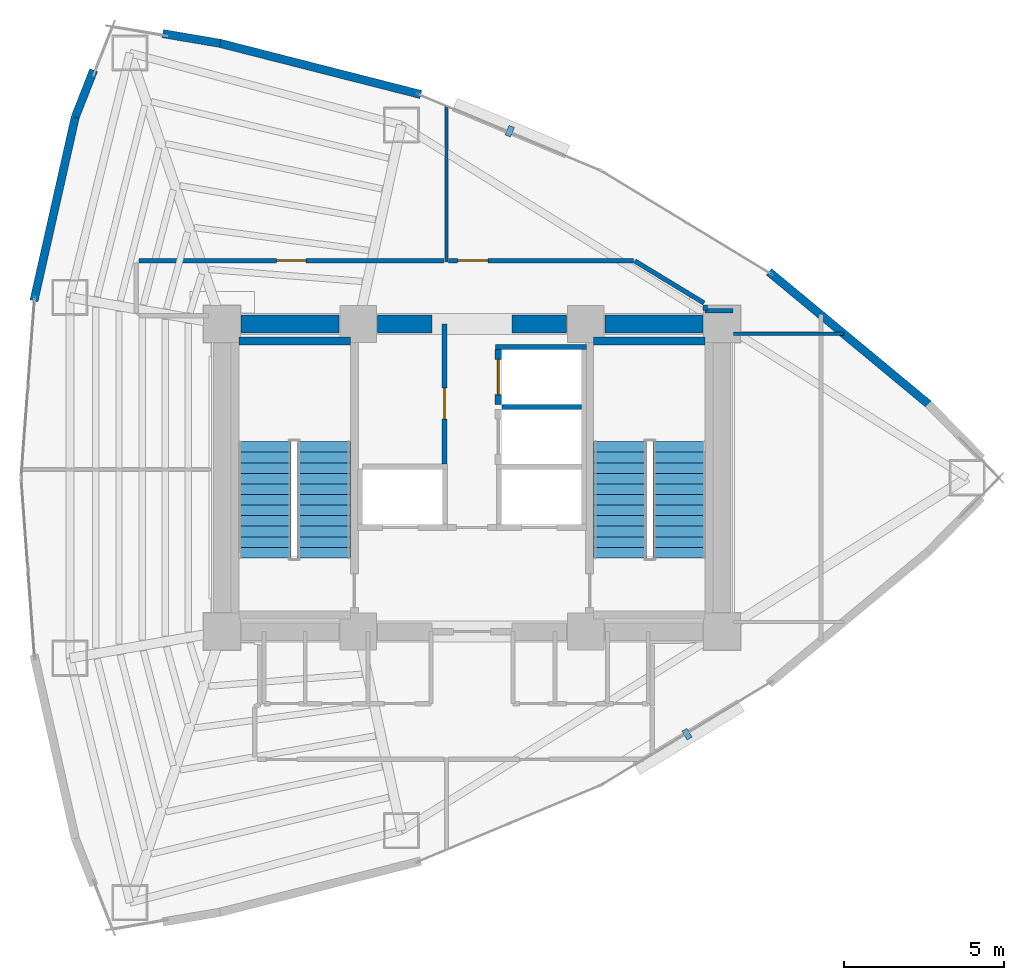
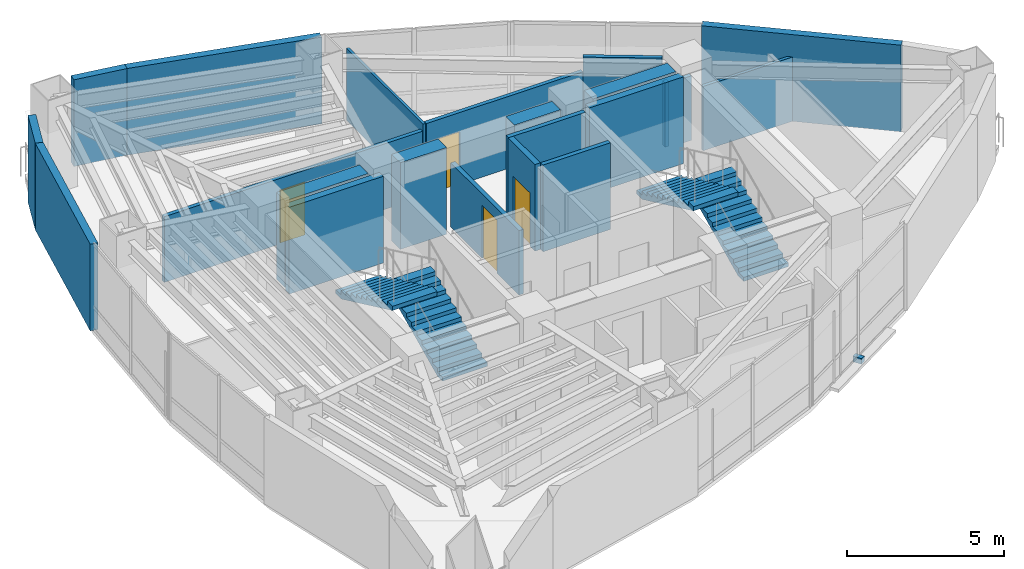
# One storey, part 12 of 15: 22 walls, 4 doors, 4 stair flights, 2 discrete accessories, 4 openings, 2 elements without a shape of their own.
"""IFC4 building model written with IfcOpenShell, lengths in metres."""

from ifc_helpers import new_model, si_unit, direction, frame, frame_2d, origin, origin_2d, place, context, subcontext, project, spatial, polyline, rectangle, outline, extrude, material, layer, layer_set, type_object, element, fill, aggregate, save


model = new_model("IFC4")

# Units and contexts
model_context = context("Model", 3, precision=1e-05, world=origin(), true_north=direction((0.0, 1.0)))
body_context = subcontext(model_context, "Body", "Model", "MODEL_VIEW")
ifc_project = project(units=[si_unit("LENGTHUNIT", "METRE"), si_unit("AREAUNIT", "SQUARE_METRE"), si_unit("VOLUMEUNIT", "CUBIC_METRE"), si_unit("PLANEANGLEUNIT", "RADIAN"), si_unit("MASSUNIT", "GRAM", prefix="KILO")], contexts=[model_context])

# Site, building, storey
site_placement = place(None, origin())
site = spatial("IfcSite", under=ifc_project, at=site_placement, CompositionType="ELEMENT")
building_placement = place(site_placement, origin())
building = spatial("IfcBuilding", under=site, at=building_placement, Name="Menara Vayukalpa", CompositionType="ELEMENT")
storey_placement = place(building_placement, frame((0.0, 0.0, 144.89990234375)))
storey = spatial("IfcBuildingStorey", under=building, at=storey_placement, Name="L36", CompositionType="ELEMENT", Elevation=144.89990234375)

# Walls
ifc_material_1 = material(Name="Concrete C60/75", Category="concrete")
ifc_layer_1 = layer(ifc_material_1, 0.550048828125)
ifc_layer_set_1 = layer_set([ifc_layer_1], Name="Concrete C60/75")
wall_type_1 = type_object("IfcWallType", Name="WAL-CW550", PredefinedType="SHEAR", material=ifc_layer_set_1)
wall_1_placement = place(storey_placement, frame((18.39501953125, 26.800048828125, 0.0), z_axis=(0.0, 0.0, 1.0), x_axis=(1.0, 0.0, 0.0)))
element("IfcWall", 1, at=wall_1_placement, inside=storey, type_object=wall_type_1, Name="L36 Buttressed Core Shear Wall CWN1", PredefinedType="SHEAR", context=body_context, shape_type="SweptSolid", body=[
    extrude(rectangle(XDim=3.06005859375, YDim=0.550048828125, at=frame_2d((1.530029296875, 0.0))), origin(), (0.0, 0.0, 1.0), 3.380126953125),
])
wall_2_placement = place(storey_placement, frame((22.64501953125, 26.800048828125, 0.0), z_axis=(0.0, 0.0, 1.0), x_axis=(1.0, 0.0, 0.0)))
element("IfcWall", 2, at=wall_2_placement, inside=storey, type_object=wall_type_1, Name="L36 Buttressed Core Shear Wall CWN2", PredefinedType="SHEAR", context=body_context, shape_type="SweptSolid", body=[
    extrude(rectangle(XDim=1.705078125, YDim=0.550048828125, at=frame_2d((0.8525390625, 0.0))), origin(), (0.0, 0.0, 1.0), 3.380126953125),
])
wall_3_placement = place(storey_placement, frame((26.85009765625, 26.800048828125, 0.0), z_axis=(0.0, 0.0, 1.0), x_axis=(1.0, 0.0, 0.0)))
element("IfcWall", 3, at=wall_3_placement, inside=storey, type_object=wall_type_1, Name="L36 Buttressed Core Shear Wall CWN3", PredefinedType="SHEAR", context=body_context, shape_type="SweptSolid", body=[
    extrude(rectangle(XDim=1.704833984375, YDim=0.550048828125, at=frame_2d((0.8525390625, 0.0))), origin(), (0.0, 0.0, 1.0), 3.380126953125),
])
wall_4_placement = place(storey_placement, frame((29.7451171875, 26.800048828125, 0.0), z_axis=(0.0, 0.0, 1.0), x_axis=(1.0, 0.0, 0.0)))
element("IfcWall", 4, at=wall_4_placement, inside=storey, type_object=wall_type_1, Name="L36 Buttressed Core Shear Wall CWN4", PredefinedType="SHEAR", context=body_context, shape_type="SweptSolid", body=[
    extrude(rectangle(XDim=3.059814453125, YDim=0.550048828125, at=frame_2d((1.52978515625, 0.0))), origin(), (0.0, 0.0, 1.0), 3.380126953125),
])
ifc_material_2 = material(Name="Insulated Precast Concrete C40/50", Category="concrete")
ifc_layer_2 = layer(ifc_material_2, 0.260009765625)
ifc_layer_set_2 = layer_set([ifc_layer_2], Name="Insulated Precast Concrete C40/50")
wall_type_2 = type_object("IfcWallType", Name="WAL-EXT260", PredefinedType="PARTITIONING", material=ifc_layer_set_2)
for number, where, z_axis, x_axis, name in (
    (5, (34.8701171875, 28.430419921875, 0.0), (0.0, 0.0, 1.0), (0.769754797847, -0.638339683234, 0.0), "L36 Perimeter Terracotta Pier Wall 03"),
    (6, (17.727294921875, 35.5654296875, 0.0), (0.0, 0.0, 1.0), (0.968987460493, -0.24710989743, 0.0), "L36 Perimeter Terracotta Pier Wall 06"),
):
    element("IfcWall", number, at=place(storey_placement, frame(where, z_axis=z_axis, x_axis=x_axis)), inside=storey, type_object=wall_type_2, Name=name, PredefinedType="PARTITIONING", context=body_context, shape_type="SweptSolid", body=[
        extrude(rectangle(XDim=6.476318359375, YDim=0.260009765625, at=frame_2d((3.23828125, 0.0))), origin(), (0.0, 0.0, 1.0), 3.380126953125),
    ])
wall_5_placement = place(storey_placement, frame((15.946533203125, 35.8671875, 0.0), z_axis=(0.0, 0.0, 1.0), x_axis=(0.985903286971, -0.167316193894, 0.0)))
element("IfcWall", 7, at=wall_5_placement, inside=storey, type_object=wall_type_2, Name="L36 Perimeter Terracotta Pier Wall 07", PredefinedType="PARTITIONING", context=body_context, shape_type="SweptSolid", body=[
    extrude(rectangle(XDim=1.818115234375, YDim=0.260009765625, at=frame_2d((0.9091796875, 0.0))), origin(), (0.0, 0.0, 1.0), 3.380126953125),
])
wall_6_placement = place(storey_placement, frame((13.21630859375, 33.263671875, 0.0), z_axis=(0.0, 0.0, 1.0), x_axis=(0.365517796794, 0.930804351207, 0.0)))
element("IfcWall", 8, at=wall_6_placement, inside=storey, type_object=wall_type_2, Name="L36 Perimeter Terracotta Pier Wall 08", PredefinedType="PARTITIONING", context=body_context, shape_type="SweptSolid", body=[
    extrude(rectangle(XDim=1.571533203125, YDim=0.260009765625, at=frame_2d((0.78564453125, 0.0))), origin(), (0.0, 0.0, 1.0), 3.380126953125),
])
wall_7_placement = place(storey_placement, frame((11.925048828125, 27.5244140625, 0.0), z_axis=(0.0, 0.0, 1.0), x_axis=(0.219500344647, 0.975612422379, 0.0)))
element("IfcWall", 9, at=wall_7_placement, inside=storey, type_object=wall_type_2, Name="L36 Perimeter Terracotta Pier Wall 09", PredefinedType="PARTITIONING", context=body_context, shape_type="SweptSolid", body=[
    extrude(rectangle(XDim=5.8828125, YDim=0.260009765625, at=frame_2d((2.94140625, 0.0))), origin(), (0.0, 0.0, 1.0), 3.380126953125),
])
ifc_material_3 = material(Name="Lightweight Concrete Blockwork C16/20", Category="masonry")
ifc_layer_3 = layer(ifc_material_3, 0.159912109375)
ifc_layer_set_3 = layer_set([ifc_layer_3], Name="Lightweight Concrete Blockwork C16/20")
wall_type_3 = type_object("IfcWallType", Name="WAL-FR150", PredefinedType="PARTITIONING", material=ifc_layer_set_3)
wall_8_placement = place(storey_placement, frame((26.530029296875, 24.215087890625, 0.0), z_axis=(0.0, 0.0, 1.0), x_axis=(1.0, 0.0, 0.0)))
element("IfcWall", 10, at=wall_8_placement, inside=storey, type_object=wall_type_3, Name="L36 Interior Partition IW-L36-SHM-E32", PredefinedType="PARTITIONING", context=body_context, shape_type="SweptSolid", body=[
    extrude(rectangle(XDim=2.489990234375, YDim=0.159912109375, at=frame_2d((1.2451171875, 0.0))), origin(), (0.0, 0.0, 1.0), 3.380126953125),
])
wall_9_placement = place(storey_placement, frame((26.340087890625, 26.0849609375, 0.0), z_axis=(0.0, 0.0, 1.0), x_axis=(1.0, 0.0, 0.0)))
element("IfcWall", 11, at=wall_9_placement, inside=storey, type_object=wall_type_3, Name="L36 Interior Partition IW-L36-SHM-E2N", PredefinedType="PARTITIONING", context=body_context, shape_type="SweptSolid", body=[
    extrude(rectangle(XDim=2.829833984375, YDim=0.159912109375, at=frame_2d((1.4150390625, 0.0))), origin(), (0.0, 0.0, 1.0), 3.380126953125),
])

# Wall, opening, door
wall_10_placement = place(storey_placement, frame((24.739990234375, 22.429931640625, 0.0), z_axis=(0.0, 0.0, 1.0), x_axis=(0.0, 1.0, 0.0)))
wall_10 = element("IfcWall", 12, at=wall_10_placement, inside=storey, type_object=wall_type_3, Name="L36 Interior Partition IW-L36-LV7W", PredefinedType="PARTITIONING", context=body_context, shape_type="SweptSolid", body=[
    extrude(rectangle(XDim=4.3701171875, YDim=0.159912109375, at=frame_2d((2.18505859375, 0.0))), origin(), (0.0, 0.0, 1.0), 2.510009765625),
])
opening_1_placement = place(wall_10_placement, frame((1.39990234375, 0.0, 0.0)))
opening_1 = element("IfcOpeningElement", 13, at=opening_1_placement, cuts=wall_10, Name="Opening ID3", PredefinedType="OPENING", context=body_context, shape_type="SweptSolid", body=[
    extrude(rectangle(XDim=0.97998046875, YDim=2.06005859375, at=frame_2d((0.489990234375, 1.030029296875))), frame((0.0, 0.08984375, 0.0), z_axis=(0.0, -1.0, 0.0), x_axis=(1.0, 0.0, 0.0)), (0.0, 0.0, 1.0), 0.179931640625),
])
ifc_material_4 = material(Name="Fire-Rated Powder-Coated Steel Door", Category="steel")
door_type_1 = type_object("IfcDoorType", Name="DR-FD60", OperationType="NOTDEFINED", PredefinedType="DOOR", material=ifc_material_4)
door_1_placement = place(opening_1_placement, origin())
door_1 = element("IfcDoor", 14, at=door_1_placement, inside=storey, type_object=door_type_1, Name="L36 Interior Door DR-L36-LV7W", OperationType="SINGLE_SWING_LEFT", OverallHeight=2.06005859375, OverallWidth=0.97998046875, PredefinedType="DOOR", context=body_context, shape_type="SweptSolid", body=[
    extrude(rectangle(XDim=0.97998046875, YDim=2.06005859375, at=frame_2d((0.489990234375, 1.030029296875))), frame((0.0, 0.02490234375, 0.0), z_axis=(0.0, -1.0, 0.0), x_axis=(1.0, 0.0, 0.0)), (0.0, 0.0, 1.0), 0.050048828125),
])
fill(opening_1, door_1)

ifc_material_5 = material(Name="Lightweight Concrete Blockwork C16/20", Category="masonry")
ifc_layer_4 = layer(ifc_material_5, 0.199951171875)
ifc_layer_set_4 = layer_set([ifc_layer_4], Name="Lightweight Concrete Blockwork C16/20")
wall_type_4 = type_object("IfcWallType", Name="WAL-FR200", PredefinedType="PARTITIONING", material=ifc_layer_set_4)
wall_11_placement = place(storey_placement, frame((26.419921875, 24.2900390625, 0.0), z_axis=(0.0, 0.0, 1.0), x_axis=(0.0, 1.0, 0.0)))
wall_11 = element("IfcWall", 15, at=wall_11_placement, inside=storey, type_object=wall_type_4, Name="L36 Interior Partition IW-L36-SH-E2", PredefinedType="PARTITIONING", context=body_context, shape_type="SweptSolid", body=[
    extrude(rectangle(XDim=1.719970703125, YDim=0.199951171875, at=frame_2d((0.85986328125, 0.0))), origin(), (0.0, 0.0, 1.0), 3.380126953125),
])
opening_2_placement = place(wall_11_placement, frame((0.31005859375, 0.0, 0.0)))
opening_2 = element("IfcOpeningElement", 16, at=opening_2_placement, cuts=wall_11, Name="Opening LD1", PredefinedType="OPENING", context=body_context, shape_type="SweptSolid", body=[
    extrude(rectangle(XDim=1.10009765625, YDim=2.080078125, at=frame_2d((0.550048828125, 1.0400390625))), frame((0.0, 0.10986328125, 0.0), z_axis=(0.0, -1.0, 0.0), x_axis=(1.0, 0.0, 0.0)), (0.0, 0.0, 1.0), 0.219970703125),
])
ifc_material_6 = material(Name="Brushed Stainless Steel 316 Lift Door", Category="steel")
door_type_2 = type_object("IfcDoorType", Name="DR-LD110", OperationType="NOTDEFINED", PredefinedType="DOOR", material=ifc_material_6)
door_2_placement = place(opening_2_placement, origin())
door_2 = element("IfcDoor", 17, at=door_2_placement, inside=storey, type_object=door_type_2, Name="L36 Interior Door DR-L36-LD-E2", OperationType="DOUBLE_DOOR_SLIDING", OverallHeight=2.080078125, OverallWidth=1.10009765625, PredefinedType="DOOR", context=body_context, shape_type="SweptSolid", body=[
    extrude(rectangle(XDim=1.10009765625, YDim=2.080078125, at=frame_2d((0.550048828125, 1.0400390625))), frame((0.0, 0.02490234375, 0.0), z_axis=(0.0, -1.0, 0.0), x_axis=(1.0, 0.0, 0.0)), (0.0, 0.0, 1.0), 0.050048828125),
])
fill(opening_2, door_2)

# Walls
ifc_material_7 = material(Name="Glazed Demountable Office Partition", Category="glass")
ifc_layer_5 = layer(ifc_material_7, 0.094970703125)
ifc_layer_set_5 = layer_set([ifc_layer_5], Name="Glazed Demountable Office Partition")
wall_type_5 = type_object("IfcWallType", Name="WAL-PT100", PredefinedType="PARTITIONING", material=ifc_layer_set_5)
wall_12_placement = place(storey_placement, frame((24.800048828125, 28.72998046875, 0.0), z_axis=(0.0, 0.0, 1.0), x_axis=(0.0, 1.0, 0.0)))
element("IfcWall", 18, at=wall_12_placement, inside=storey, type_object=wall_type_5, Name="L36 Interior Partition IW-L36-RDIV02", PredefinedType="PARTITIONING", context=body_context, shape_type="SweptSolid", body=[
    extrude(rectangle(XDim=4.89501953125, YDim=0.094970703125, at=frame_2d((2.447509765625, 0.0))), origin(), (0.0, 0.0, 1.0), 2.81005859375),
])
ifc_material_8 = material(Name="Acoustic Mineral Stud Partition", Category="masonry")
ifc_layer_6 = layer(ifc_material_8, 0.110107421875)
ifc_layer_set_6 = layer_set([ifc_layer_6], Name="Acoustic Mineral Stud Partition")
wall_type_6 = type_object("IfcWallType", Name="WAL-PT110", PredefinedType="PARTITIONING", material=ifc_layer_set_6)
wall_13_placement = place(storey_placement, frame((33.77001953125, 26.5, 0.0), z_axis=(0.0, 0.0, 1.0), x_axis=(1.0, 0.0, 0.0)))
element("IfcWall", 19, at=wall_13_placement, inside=storey, type_object=wall_type_6, Name="L36 Interior Partition IW-L36-RDIV05", PredefinedType="PARTITIONING", context=body_context, shape_type="SweptSolid", body=[
    extrude(rectangle(XDim=3.443603515625, YDim=0.110107421875, at=frame_2d((1.7216796875, 0.0))), origin(), (0.0, 0.0, 1.0), 2.510009765625),
])
ifc_material_9 = material(Name="Gypsum Drywall Acoustic Stud Assembly", Category="masonry")
ifc_layer_7 = layer(ifc_material_9, 0.14501953125)
ifc_layer_set_7 = layer_set([ifc_layer_7], Name="Gypsum Drywall Acoustic Stud Assembly")
wall_type_7 = type_object("IfcWallType", Name="WAL-PT150", PredefinedType="PARTITIONING", material=ifc_layer_set_7)
wall_14_placement = place(storey_placement, frame((33.739990234375, 27.219970703125, 0.0), z_axis=(0.0, 0.0, 1.0), x_axis=(-1.0, 0.0, 0.0)))
element("IfcWall", 20, at=wall_14_placement, inside=storey, type_object=wall_type_7, Name="L36 Interior Partition IW-L36-CRM05-1", PredefinedType="PARTITIONING", context=body_context, shape_type="SweptSolid", body=[
    extrude(rectangle(XDim=0.860107421875, YDim=0.14501953125, at=frame_2d((0.43017578125, 0.0))), origin(), (0.0, 0.0, 1.0), 2.510009765625),
])
wall_15_placement = place(storey_placement, frame((32.8798828125, 27.219970703125, 0.0), z_axis=(0.0, 0.0, 1.0), x_axis=(0.0, 1.0, 0.0)))
element("IfcWall", 21, at=wall_15_placement, inside=storey, type_object=wall_type_7, Name="L36 Interior Partition IW-L36-CRM05-2", PredefinedType="PARTITIONING", context=body_context, shape_type="SweptSolid", body=[
    extrude(rectangle(XDim=0.167724609375, YDim=0.14501953125, at=frame_2d((0.083984375, 0.0))), origin(), (0.0, 0.0, 1.0), 2.510009765625),
])
wall_16_placement = place(storey_placement, frame((32.841552734375, 27.4560546875, 0.0), z_axis=(0.0, 0.0, 1.0), x_axis=(-0.854658937776, 0.519189849746, 0.0)))
element("IfcWall", 22, at=wall_16_placement, inside=storey, type_object=wall_type_7, Name="L36 Interior Partition IW-L36-CRM05-3", PredefinedType="PARTITIONING", context=body_context, shape_type="SweptSolid", body=[
    extrude(rectangle(XDim=2.527587890625, YDim=0.14501953125, at=frame_2d((1.263671875, 0.0))), origin(), (0.0, 0.0, 1.0), 3.380126953125),
])

# Wall, opening, door
wall_17_placement = place(storey_placement, frame((30.639892578125, 28.780029296875, 0.0), z_axis=(0.0, 0.0, 1.0), x_axis=(-1.0, 0.0, 0.0)))
wall_17 = element("IfcWall", 23, at=wall_17_placement, inside=storey, type_object=wall_type_7, Name="L36 Interior Partition IW-L36-CRM05-4", PredefinedType="PARTITIONING", context=body_context, shape_type="SweptSolid", body=[
    extrude(rectangle(XDim=5.769775390625, YDim=0.14501953125, at=frame_2d((2.884765625, 0.0))), origin(), (0.0, 0.0, 1.0), 2.81005859375),
])
opening_3_placement = place(wall_17_placement, frame((4.539794921875, 0.0, 0.0)))
opening_3 = element("IfcOpeningElement", 24, at=opening_3_placement, cuts=wall_17, Name="Opening ID5", PredefinedType="OPENING", context=body_context, shape_type="SweptSolid", body=[
    extrude(rectangle(XDim=0.949951171875, YDim=2.06005859375, at=frame_2d((0.47509765625, 1.030029296875))), frame((0.0, 0.08251953125, 0.0), z_axis=(0.0, -1.0, 0.0), x_axis=(1.0, 0.0, 0.0)), (0.0, 0.0, 1.0), 0.1650390625),
])
ifc_material_10 = material(Name="Acoustic Hardwood Veneer Timber Door", Category="wood")
door_type_3 = type_object("IfcDoorType", Name="DR-INT95", OperationType="NOTDEFINED", PredefinedType="DOOR", material=ifc_material_10)
door_3_placement = place(opening_3_placement, origin())
door_3 = element("IfcDoor", 25, at=door_3_placement, inside=storey, type_object=door_type_3, Name="L36 Interior Door DR-L36-RM05", OperationType="SINGLE_SWING_RIGHT", OverallHeight=2.06005859375, OverallWidth=0.949951171875, PredefinedType="DOOR", context=body_context, shape_type="SweptSolid", body=[
    extrude(rectangle(XDim=0.949951171875, YDim=2.06005859375, at=frame_2d((0.47509765625, 1.030029296875))), frame((0.0, 0.02490234375, 0.0), z_axis=(0.0, -1.0, 0.0), x_axis=(1.0, 0.0, 0.0)), (0.0, 0.0, 1.0), 0.050048828125),
])
fill(opening_3, door_3)

wall_18_placement = place(storey_placement, frame((24.72998046875, 28.780029296875, 0.0), z_axis=(0.0, 0.0, 1.0), x_axis=(-1.0, 0.0, 0.0)))
wall_18 = element("IfcWall", 26, at=wall_18_placement, inside=storey, type_object=wall_type_7, Name="L36 Interior Partition IW-L36-CRM06-1", PredefinedType="PARTITIONING", context=body_context, shape_type="SweptSolid", body=[
    extrude(rectangle(XDim=9.530029296875, YDim=0.14501953125, at=frame_2d((4.76513671875, 0.0))), origin(), (0.0, 0.0, 1.0), 2.56005859375),
])
opening_4_placement = place(wall_18_placement, frame((4.304931640625, 0.0, 0.0)))
opening_4 = element("IfcOpeningElement", 27, at=opening_4_placement, cuts=wall_18, Name="Opening ID6", PredefinedType="OPENING", context=body_context, shape_type="SweptSolid", body=[
    extrude(rectangle(XDim=0.919921875, YDim=2.050048828125, at=frame_2d((0.4599609375, 1.02490234375))), frame((0.0, 0.08251953125, 0.0), z_axis=(0.0, -1.0, 0.0), x_axis=(1.0, 0.0, 0.0)), (0.0, 0.0, 1.0), 0.1650390625),
])
ifc_material_11 = material(Name="Acoustic Hardwood Veneer Timber Door", Category="wood")
door_type_4 = type_object("IfcDoorType", Name="DR-INT92", OperationType="NOTDEFINED", PredefinedType="DOOR", material=ifc_material_11)
door_4_placement = place(opening_4_placement, origin())
door_4 = element("IfcDoor", 28, at=door_4_placement, inside=storey, type_object=door_type_4, Name="L36 Interior Door DR-L36-RM06", OperationType="SINGLE_SWING_LEFT", OverallHeight=2.050048828125, OverallWidth=0.919921875, PredefinedType="DOOR", context=body_context, shape_type="SweptSolid", body=[
    extrude(rectangle(XDim=0.919921875, YDim=2.050048828125, at=frame_2d((0.4599609375, 1.02490234375))), frame((0.0, 0.02490234375, 0.0), z_axis=(0.0, -1.0, 0.0), x_axis=(1.0, 0.0, 0.0)), (0.0, 0.0, 1.0), 0.050048828125),
])
fill(opening_4, door_4)

# Walls
ifc_material_12 = material(Name="Concrete C50/60", Category="concrete")
ifc_layer_8 = layer(ifc_material_12, 0.25)
ifc_layer_set_8 = layer_set([ifc_layer_8], Name="Concrete C50/60")
wall_type_8 = type_object("IfcWallType", Name="WAL-SW250", PredefinedType="SHEAR", material=ifc_layer_set_8)
wall_19_placement = place(storey_placement, frame((18.3291015625, 26.27490234375, 0.0), z_axis=(0.0, 0.0, 1.0), x_axis=(1.0, 0.0, 0.0)))
element("IfcWall", 29, at=wall_19_placement, inside=storey, type_object=wall_type_8, Name="L36 ST1 Structural Stair Shaft Wall N", PredefinedType="SHEAR", context=body_context, shape_type="SweptSolid", body=[
    extrude(rectangle(XDim=3.470947265625, YDim=0.25, at=frame_2d((1.7353515625, 0.0))), origin(), (0.0, 0.0, 1.0), 3.380126953125),
])
wall_20_placement = place(storey_placement, frame((29.39990234375, 26.27490234375, 0.0), z_axis=(0.0, 0.0, 1.0), x_axis=(1.0, 0.0, 0.0)))
element("IfcWall", 30, at=wall_20_placement, inside=storey, type_object=wall_type_8, Name="L36 ST2 Structural Stair Shaft Wall N", PredefinedType="SHEAR", context=body_context, shape_type="SweptSolid", body=[
    extrude(rectangle(XDim=3.47119140625, YDim=0.25, at=frame_2d((1.735595703125, 0.0))), origin(), (0.0, 0.0, 1.0), 3.380126953125),
])

# Stair, stair flights
ifc_material_13 = material(Name="Precast Concrete C40/50", Category="concrete")
stair_type = type_object("IfcStairType", Name="STR-T04", PredefinedType="DOUBLE_RETURN_STAIR", material=ifc_material_13)
stair_1_placement = place(storey_placement, origin())
stair_1 = element("IfcStair", 31, at=stair_1_placement, inside=storey, type_object=stair_type, Name="L36 Core Exit Stair ST-1", PredefinedType="DOUBLE_RETURN_STAIR")
ifc_material_14 = material(Name="Precast Concrete C40/50", Category="concrete")
stair_flight_type = type_object("IfcStairFlightType", Name="STF-T04", PredefinedType="STRAIGHT", material=ifc_material_14)
stair_flight_1_placement = place(storey_placement, frame((20.97509765625, 19.5, 0.0), z_axis=(0.0, 0.0, 1.0), x_axis=(0.0, 1.0, 0.0)))
stair_flight_1 = element("IfcStairFlight", 32, at=stair_flight_1_placement, type_object=stair_flight_type, Name="ST-1 flight 1", NumberOfRisers=12, NumberOfTreads=11, PredefinedType="STRAIGHT", RiserHeight=0.155, TreadLength=0.33, context=body_context, shape_type="SweptSolid", body=[
    extrude(outline(polyline([(0.0, 0.0), (0.0, 0.155029296875), (0.330078125, 0.155029296875), (0.330078125, 0.31005859375), (0.659912109375, 0.31005859375), (0.659912109375, 0.465087890625), (0.989990234375, 0.465087890625), (0.989990234375, 0.6201171875), (1.320068359375, 0.6201171875), (1.320068359375, 0.77490234375), (1.64990234375, 0.77490234375), (1.64990234375, 0.929931640625), (1.97998046875, 0.929931640625), (1.97998046875, 1.0849609375), (2.31005859375, 1.0849609375), (2.31005859375, 1.239990234375), (2.639892578125, 1.239990234375), (2.639892578125, 1.39501953125), (2.969970703125, 1.39501953125), (2.969970703125, 1.550048828125), (3.300048828125, 1.550048828125), (3.300048828125, 1.705078125), (3.6298828125, 1.705078125), (3.6298828125, 1.860107421875), (3.6298828125, 1.539306640625), (0.3525390625, 0.0), (0.0, 0.0)])), frame((0.0, 0.824951171875, 0.0), z_axis=(0.0, -1.0, 0.0), x_axis=(1.0, 0.0, 0.0)), (0.0, 0.0, 1.0), 1.64990234375),
])
stair_flight_2_placement = place(storey_placement, frame((19.125, 23.1298828125, 1.860107421875), z_axis=(0.0, 0.0, 1.0), x_axis=(0.0, -1.0, 0.0)))
stair_flight_2 = element("IfcStairFlight", 33, at=stair_flight_2_placement, type_object=stair_flight_type, Name="ST-1 flight 2", NumberOfRisers=12, NumberOfTreads=11, PredefinedType="STRAIGHT", RiserHeight=0.155, TreadLength=0.33, context=body_context, shape_type="SweptSolid", body=[
    extrude(outline(polyline([(0.0, 0.0), (0.0, 0.155029296875), (0.330078125, 0.155029296875), (0.330078125, 0.31005859375), (0.659912109375, 0.31005859375), (0.659912109375, 0.465087890625), (0.989990234375, 0.465087890625), (0.989990234375, 0.6201171875), (1.320068359375, 0.6201171875), (1.320068359375, 0.77490234375), (1.64990234375, 0.77490234375), (1.64990234375, 0.929931640625), (1.97998046875, 0.929931640625), (1.97998046875, 1.0849609375), (2.31005859375, 1.0849609375), (2.31005859375, 1.239990234375), (2.639892578125, 1.239990234375), (2.639892578125, 1.39501953125), (2.969970703125, 1.39501953125), (2.969970703125, 1.550048828125), (3.300048828125, 1.550048828125), (3.300048828125, 1.705078125), (3.6298828125, 1.705078125), (3.6298828125, 1.860107421875), (3.6298828125, 1.539306640625), (0.3525390625, 0.0), (0.0, 0.0)])), frame((0.0, 0.824951171875, 0.0), z_axis=(0.0, -1.0, 0.0), x_axis=(1.0, 0.0, 0.0)), (0.0, 0.0, 1.0), 1.64990234375),
])
aggregate(stair_1, [stair_flight_1, stair_flight_2])

stair_2_placement = place(storey_placement, origin())
stair_2 = element("IfcStair", 34, at=stair_2_placement, inside=storey, type_object=stair_type, Name="L36 Core Exit Stair ST-2", PredefinedType="DOUBLE_RETURN_STAIR")
stair_flight_3_placement = place(storey_placement, frame((32.074951171875, 19.5, 0.0), z_axis=(0.0, 0.0, 1.0), x_axis=(0.0, 1.0, 0.0)))
stair_flight_3 = element("IfcStairFlight", 35, at=stair_flight_3_placement, type_object=stair_flight_type, Name="ST-2 flight 1", NumberOfRisers=12, NumberOfTreads=11, PredefinedType="STRAIGHT", RiserHeight=0.155, TreadLength=0.33, context=body_context, shape_type="SweptSolid", body=[
    extrude(outline(polyline([(0.0, 0.0), (0.0, 0.155029296875), (0.330078125, 0.155029296875), (0.330078125, 0.31005859375), (0.659912109375, 0.31005859375), (0.659912109375, 0.465087890625), (0.989990234375, 0.465087890625), (0.989990234375, 0.6201171875), (1.320068359375, 0.6201171875), (1.320068359375, 0.77490234375), (1.64990234375, 0.77490234375), (1.64990234375, 0.929931640625), (1.97998046875, 0.929931640625), (1.97998046875, 1.0849609375), (2.31005859375, 1.0849609375), (2.31005859375, 1.239990234375), (2.639892578125, 1.239990234375), (2.639892578125, 1.39501953125), (2.969970703125, 1.39501953125), (2.969970703125, 1.550048828125), (3.300048828125, 1.550048828125), (3.300048828125, 1.705078125), (3.6298828125, 1.705078125), (3.6298828125, 1.860107421875), (3.6298828125, 1.539306640625), (0.3525390625, 0.0), (0.0, 0.0)])), frame((0.0, 0.824951171875, 0.0), z_axis=(0.0, -1.0, 0.0), x_axis=(1.0, 0.0, 0.0)), (0.0, 0.0, 1.0), 1.64990234375),
])
stair_flight_4_placement = place(storey_placement, frame((30.22509765625, 23.1298828125, 1.860107421875), z_axis=(0.0, 0.0, 1.0), x_axis=(0.0, -1.0, 0.0)))
stair_flight_4 = element("IfcStairFlight", 36, at=stair_flight_4_placement, type_object=stair_flight_type, Name="ST-2 flight 2", NumberOfRisers=12, NumberOfTreads=11, PredefinedType="STRAIGHT", RiserHeight=0.155, TreadLength=0.33, context=body_context, shape_type="SweptSolid", body=[
    extrude(outline(polyline([(0.0, 0.0), (0.0, 0.155029296875), (0.330078125, 0.155029296875), (0.330078125, 0.31005859375), (0.659912109375, 0.31005859375), (0.659912109375, 0.465087890625), (0.989990234375, 0.465087890625), (0.989990234375, 0.6201171875), (1.320068359375, 0.6201171875), (1.320068359375, 0.77490234375), (1.64990234375, 0.77490234375), (1.64990234375, 0.929931640625), (1.97998046875, 0.929931640625), (1.97998046875, 1.0849609375), (2.31005859375, 1.0849609375), (2.31005859375, 1.239990234375), (2.639892578125, 1.239990234375), (2.639892578125, 1.39501953125), (2.969970703125, 1.39501953125), (2.969970703125, 1.550048828125), (3.300048828125, 1.550048828125), (3.300048828125, 1.705078125), (3.6298828125, 1.705078125), (3.6298828125, 1.860107421875), (3.6298828125, 1.539306640625), (0.3525390625, 0.0), (0.0, 0.0)])), frame((0.0, 0.824951171875, 0.0), z_axis=(0.0, -1.0, 0.0), x_axis=(1.0, 0.0, 0.0)), (0.0, 0.0, 1.0), 1.64990234375),
])
aggregate(stair_2, [stair_flight_3, stair_flight_4])

# Discrete accessories
ifc_material_15 = material(Name="Stainless Steel 316 Sunshade Bracket", Category="steel")
discrete_accessory_type = type_object("IfcDiscreteAccessoryType", Name="ACC-BRK1", PredefinedType="BRACKET", material=ifc_material_15)
for number, where, z_axis, x_axis, name in (
    (37, (26.778076171875, 32.8193359375, -0.15966796875), (0.0, 0.0, 1.0), (-0.922544824647, 0.385889940938, 0.0), "L36 Terracotta Sunshade Bracket 05"),
    (38, (32.311279296875, 13.998779296875, -0.15966796875), (0.0, 0.0, 1.0), (0.854658248158, 0.519190984952, 0.0), "L36 Terracotta Sunshade Bracket 17"),
):
    element("IfcDiscreteAccessory", number, at=place(storey_placement, frame(where, z_axis=z_axis, x_axis=x_axis)), inside=storey, type_object=discrete_accessory_type, Name=name, PredefinedType="BRACKET", context=body_context, shape_type="SweptSolid", body=[
        extrude(rectangle(XDim=0.179931640625, YDim=0.320068359375, at=origin_2d()), origin(), (0.0, 0.0, 1.0), 0.219970703125),
    ])

save(model, "model.ifc")
